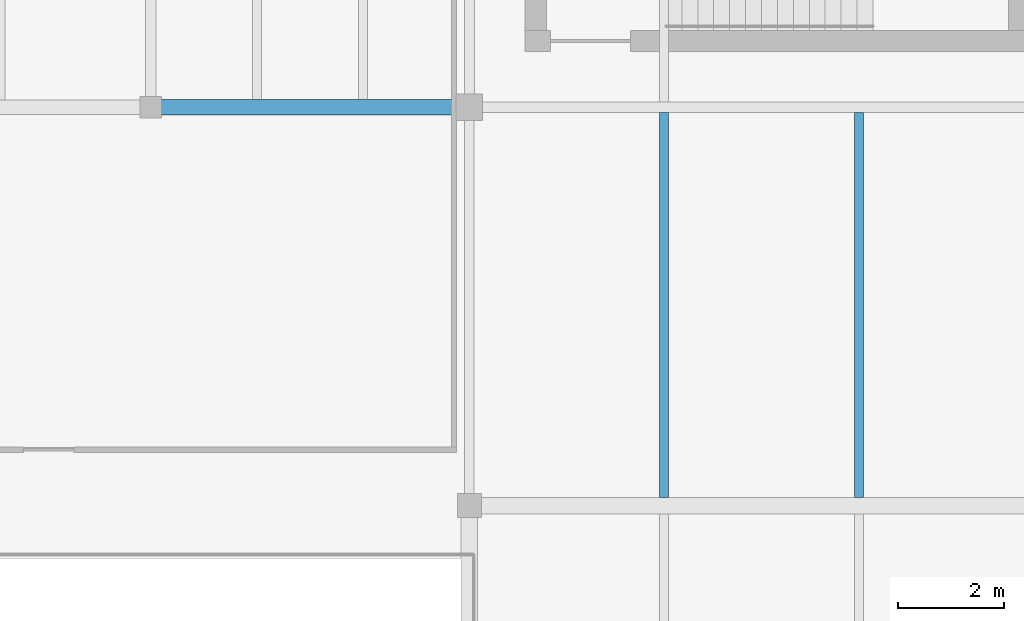
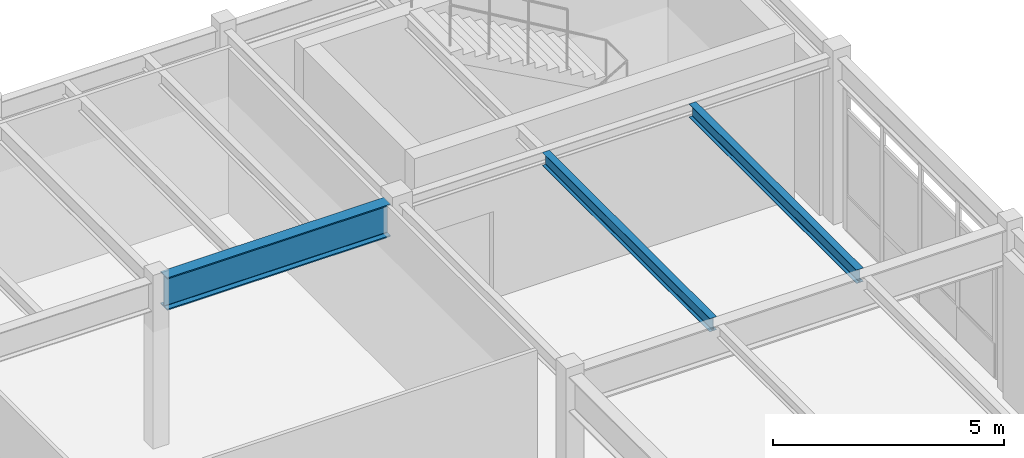
# One storey, part 107 of 168: 3 beams.
"""IFC4 building model written with IfcOpenShell, lengths in metres."""

from ifc_helpers import new_model, si_unit, direction, frame, origin, origin_2d, place, context, subcontext, project, spatial, i_section, extrude, material, material_profile, profile_set, type_object, element, save


model = new_model("IFC4")

# Units and contexts
model_context = context("Model", 3, precision=1e-05, world=origin(), true_north=direction((0.0, 1.0)))
body_context = subcontext(model_context, "Body", "Model", "MODEL_VIEW")
ifc_project = project(units=[si_unit("LENGTHUNIT", "METRE"), si_unit("AREAUNIT", "SQUARE_METRE"), si_unit("VOLUMEUNIT", "CUBIC_METRE"), si_unit("PLANEANGLEUNIT", "RADIAN"), si_unit("MASSUNIT", "GRAM", prefix="KILO"), si_unit("THERMODYNAMICTEMPERATUREUNIT", "KELVIN"), si_unit("POWERUNIT", "WATT")], contexts=[model_context])

# Site, building, storey
site_placement = place(None, origin())
site = spatial("IfcSite", under=ifc_project, at=site_placement, CompositionType="ELEMENT")
building_placement = place(site_placement, origin())
building = spatial("IfcBuilding", under=site, at=building_placement, Name="Tepalcoro Natatorium and Aquatics Centre", CompositionType="ELEMENT")
storey_placement = place(building_placement, frame((0.0, 0.0, 10.199951171875)))
storey = spatial("IfcBuildingStorey", under=building, at=storey_placement, Name="L02", CompositionType="ELEMENT", Elevation=10.199951171875)

# Beams
ifc_material = material(Name="Steel ASTM A992 Grade 50 (Fy 345 MPa)", Category="steel")
ifc_material_profile_1 = material_profile(ifc_material, i_section(OverallWidth=0.2919921875, OverallDepth=0.85888671875, WebThickness=0.01708984375, FlangeThickness=0.031005859375, FilletRadius=0.013916015625, at=origin_2d()), Name="W33X169")
ifc_profile_set_1 = profile_set([ifc_material_profile_1], Name="Steel ASTM A992 Grade 50 (Fy 345 MPa)")
beam_type_1 = type_object("IfcBeamType", Name="BM_W33x169", PredefinedType="BEAM", material=ifc_profile_set_1)
beam_1_placement = place(storey_placement, frame((159.18505859375, 51.5, 3.935546875), z_axis=(1.0, 0.0, 0.0), x_axis=(0.0, 1.0, 0.0)))
element("IfcBeam", 1, at=beam_1_placement, inside=storey, type_object=beam_type_1, Name="V2 L02 Grid Girder X", PredefinedType="BEAM", context=body_context, shape_type="SweptSolid", body=[
    extrude(i_section(OverallWidth=0.2919921875, OverallDepth=0.85888671875, WebThickness=0.01708984375, FlangeThickness=0.031005859375, FilletRadius=0.013916015625, at=origin_2d()), origin(), (0.0, 0.0, 1.0), 5.579833984375),
])
ifc_material_profile_2 = material_profile(ifc_material, i_section(OverallWidth=0.1708984375, OverallDepth=0.35107421875, WebThickness=0.007080078125, FlangeThickness=0.010009765625, FilletRadius=0.013916015625, at=origin_2d()), Name="W14X30")
ifc_profile_set_2 = profile_set([ifc_material_profile_2], Name="Steel ASTM A992 Grade 50 (Fy 345 MPa)")
beam_type_2 = type_object("IfcBeamType", Name="JS_W14x30", PredefinedType="JOIST", material=ifc_profile_set_2)
beam_2_placement = place(storey_placement, frame((168.666748046875, 44.155029296875, 4.189453125), z_axis=(0.0, 1.0, 0.0), x_axis=(-1.0, 0.0, 0.0)))
element("IfcBeam", 2, at=beam_2_placement, inside=storey, type_object=beam_type_2, Name="V2 L02 Floor Joist", PredefinedType="JOIST", context=body_context, shape_type="SweptSolid", body=[
    extrude(i_section(OverallWidth=0.1708984375, OverallDepth=0.35107421875, WebThickness=0.007080078125, FlangeThickness=0.010009765625, FilletRadius=0.013916015625, at=origin_2d()), origin(), (0.0, 0.0, 1.0), 7.243408203125),
])
ifc_material_profile_3 = material_profile(ifc_material, i_section(OverallWidth=0.172119140625, OverallDepth=0.35791015625, WebThickness=0.008056640625, FlangeThickness=0.012939453125, FilletRadius=0.013916015625, at=origin_2d()), Name="W14X38")
ifc_profile_set_3 = profile_set([ifc_material_profile_3], Name="Steel ASTM A992 Grade 50 (Fy 345 MPa)")
beam_type_3 = type_object("IfcBeamType", Name="JS_W14x38", PredefinedType="JOIST", material=ifc_profile_set_3)
beam_3_placement = place(storey_placement, frame((172.333251953125, 44.155029296875, 4.18603515625), z_axis=(0.0, 1.0, 0.0), x_axis=(-1.0, 0.0, 0.0)))
element("IfcBeam", 3, at=beam_3_placement, inside=storey, type_object=beam_type_3, Name="V2 L02 Floor Joist", PredefinedType="JOIST", context=body_context, shape_type="SweptSolid", body=[
    extrude(i_section(OverallWidth=0.172119140625, OverallDepth=0.35791015625, WebThickness=0.008056640625, FlangeThickness=0.012939453125, FilletRadius=0.013916015625, at=origin_2d()), origin(), (0.0, 0.0, 1.0), 7.243408203125),
])

save(model, "model.ifc")
